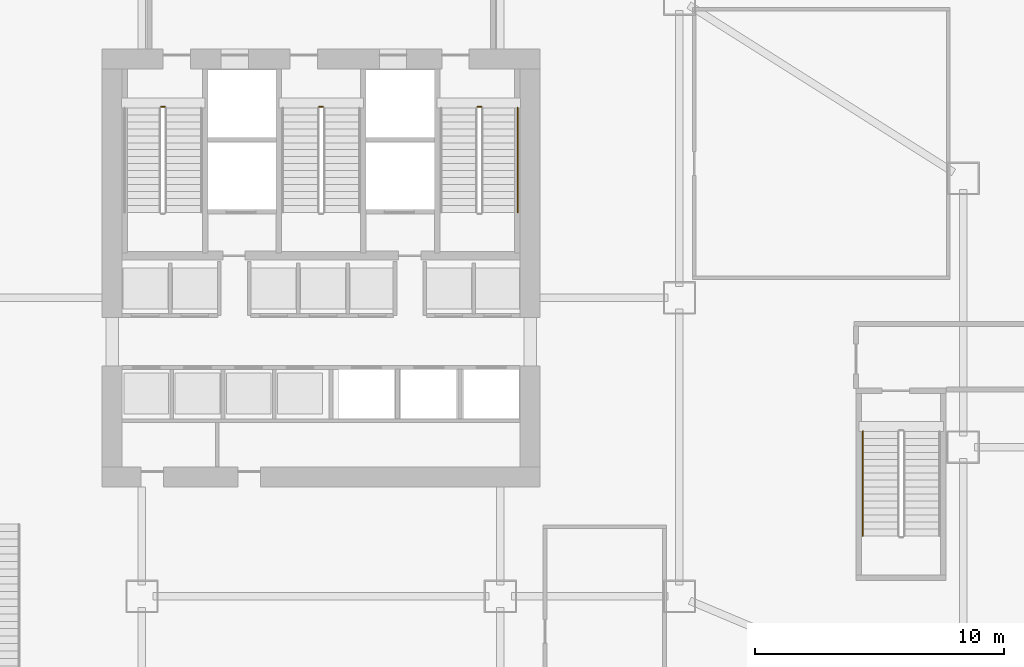
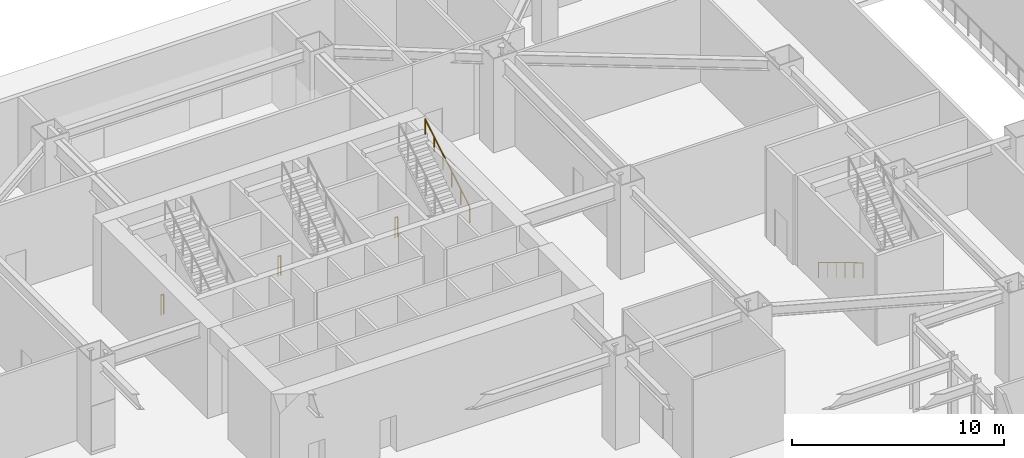
# One storey, part 17 of 20: 5 railings.
"""IFC4 building model written with IfcOpenShell, lengths in metres."""

from ifc_helpers import new_model, si_unit, direction, frame, origin, origin_2d, place, context, subcontext, project, spatial, circle, extrude, material, type_object, element, save


model = new_model("IFC4")

# Units and contexts
model_context = context("Model", 3, precision=1e-05, world=origin(), true_north=direction((0.0, 1.0)))
body_context = subcontext(model_context, "Body", "Model", "MODEL_VIEW")
ifc_project = project(units=[si_unit("LENGTHUNIT", "METRE"), si_unit("AREAUNIT", "SQUARE_METRE"), si_unit("VOLUMEUNIT", "CUBIC_METRE"), si_unit("PLANEANGLEUNIT", "RADIAN"), si_unit("MASSUNIT", "GRAM", prefix="KILO")], contexts=[model_context])

# Site, building, storey
site_placement = place(None, origin())
site = spatial("IfcSite", under=ifc_project, at=site_placement, CompositionType="ELEMENT")
building_placement = place(site_placement, origin())
building = spatial("IfcBuilding", under=site, at=building_placement, Name="Haolan Belvedere Tower", CompositionType="ELEMENT")
storey_placement = place(building_placement, origin())
storey = spatial("IfcBuildingStorey", under=building, at=storey_placement, Name="L00", CompositionType="ELEMENT", Elevation=0.0)

# Railings
ifc_material = material(Name="Brushed stainless steel 304", Category="steel")
railing_type_1 = type_object("IfcRailingType", Name="RL-STAIR-GRD-1150", PredefinedType="GUARDRAIL", material=ifc_material)
railing_1_placement = place(storey_placement, frame((31.969970703125, 41.280029296875, 0.0)))
element("IfcRailing", 1, at=railing_1_placement, inside=storey, type_object=railing_type_1, Name="L00 ST1 stair guard 4", PredefinedType="GUARDRAIL", context=body_context, shape_type="SweptSolid", body=[
    extrude(circle(Radius=0.02392578125, at=origin_2d()), frame((0.0, 0.0, 1.1259765625), z_axis=(1.0, 0.0, 0.0), x_axis=(0.0, 1.0, 0.0)), (0.0, 0.0, 1.0), 0.14013671875),
    extrude(circle(Radius=0.02099609375, at=origin_2d()), origin(), (0.0, 0.0, 1.0), 1.101806640625),
    extrude(circle(Radius=0.02099609375, at=origin_2d()), frame((0.14013671875, 0.0, 0.0)), (0.0, 0.0, 1.0), 1.101806640625),
])
railing_2_placement = place(storey_placement, frame((38.330078125, 41.280029296875, 0.0)))
element("IfcRailing", 2, at=railing_2_placement, inside=storey, type_object=railing_type_1, Name="L00 ST3 stair guard 4", PredefinedType="GUARDRAIL", context=body_context, shape_type="SweptSolid", body=[
    extrude(circle(Radius=0.02392578125, at=origin_2d()), frame((0.0, 0.0, 1.1259765625), z_axis=(1.0, 0.0, 0.0), x_axis=(0.0, 1.0, 0.0)), (0.0, 0.0, 1.0), 0.139892578125),
    extrude(circle(Radius=0.02099609375, at=origin_2d()), origin(), (0.0, 0.0, 1.0), 1.101806640625),
    extrude(circle(Radius=0.02099609375, at=origin_2d()), frame((0.139892578125, 0.0, 0.0)), (0.0, 0.0, 1.0), 1.101806640625),
])
railing_3_placement = place(storey_placement, frame((44.68994140625, 41.280029296875, 0.0)))
element("IfcRailing", 3, at=railing_3_placement, inside=storey, type_object=railing_type_1, Name="L00 ST2 stair guard 4", PredefinedType="GUARDRAIL", context=body_context, shape_type="SweptSolid", body=[
    extrude(circle(Radius=0.02392578125, at=origin_2d()), frame((0.0, 0.0, 1.1259765625), z_axis=(1.0, 0.0, 0.0), x_axis=(0.0, 1.0, 0.0)), (0.0, 0.0, 1.0), 0.14013671875),
    extrude(circle(Radius=0.02099609375, at=origin_2d()), origin(), (0.0, 0.0, 1.0), 1.101806640625),
    extrude(circle(Radius=0.02099609375, at=origin_2d()), frame((0.14013671875, 0.0, 0.0)), (0.0, 0.0, 1.0), 1.101806640625),
])
railing_type_2 = type_object("IfcRailingType", Name="RL-STAIR-HND-900", PredefinedType="HANDRAIL", material=ifc_material)
railing_4_placement = place(storey_placement, frame((46.300048828125, 37.030029296875, 2.86865234375)))
element("IfcRailing", 4, at=railing_4_placement, inside=storey, type_object=railing_type_2, Name="L00 ST2 stair handrail 2", PredefinedType="HANDRAIL", context=body_context, shape_type="SweptSolid", body=[
    extrude(circle(Radius=0.02392578125, at=origin_2d()), frame((0.0, 0.0, 0.8759765625), z_axis=(0.0, 0.856476492594, 0.516186030065), x_axis=(-1.0, 0.0, 0.0)), (0.0, 0.0, 1.0), 4.90380859375),
    extrude(circle(Radius=0.02099609375, at=origin_2d()), origin(), (0.0, 0.0, 1.0), 0.851806640625),
    extrude(circle(Radius=0.02099609375, at=origin_2d()), frame((0.0, 0.840087890625, 0.50634765625)), (0.0, 0.0, 1.0), 0.851806640625),
    extrude(circle(Radius=0.02099609375, at=origin_2d()), frame((0.0, 1.679931640625, 1.012451171875)), (0.0, 0.0, 1.0), 0.851806640625),
    extrude(circle(Radius=0.02099609375, at=origin_2d()), frame((0.0, 2.52001953125, 1.518798828125)), (0.0, 0.0, 1.0), 0.851806640625),
    extrude(circle(Radius=0.02099609375, at=origin_2d()), frame((0.0, 3.35986328125, 2.02490234375)), (0.0, 0.0, 1.0), 0.851806640625),
    extrude(circle(Radius=0.02099609375, at=origin_2d()), frame((0.0, 4.199951171875, 2.53125)), (0.0, 0.0, 1.0), 0.851806640625),
])
railing_5_placement = place(storey_placement, frame((60.169921875, 28.22998046875, 0.168701171875)))
element("IfcRailing", 5, at=railing_5_placement, inside=storey, type_object=railing_type_2, Name="L00 ST5 stair handrail 1", PredefinedType="HANDRAIL", context=body_context, shape_type="SweptSolid", body=[
    extrude(circle(Radius=0.02392578125, at=origin_2d()), frame((0.0, 0.0, 0.8759765625), z_axis=(0.0, -0.856476492594, 0.516186030065), x_axis=(1.0, 0.0, 0.0)), (0.0, 0.0, 1.0), 4.90380859375),
    extrude(circle(Radius=0.02099609375, at=origin_2d()), origin(), (0.0, 0.0, 1.0), 0.851806640625),
    extrude(circle(Radius=0.02099609375, at=origin_2d()), frame((0.0, -0.840087890625, 0.50634765625)), (0.0, 0.0, 1.0), 0.851806640625),
    extrude(circle(Radius=0.02099609375, at=origin_2d()), frame((0.0, -1.679931640625, 1.012451171875)), (0.0, 0.0, 1.0), 0.851806640625),
    extrude(circle(Radius=0.02099609375, at=origin_2d()), frame((0.0, -2.52001953125, 1.518798828125)), (0.0, 0.0, 1.0), 0.851806640625),
    extrude(circle(Radius=0.02099609375, at=origin_2d()), frame((0.0, -3.35986328125, 2.02490234375)), (0.0, 0.0, 1.0), 0.851806640625),
    extrude(circle(Radius=0.02099609375, at=origin_2d()), frame((0.0, -4.199951171875, 2.53125)), (0.0, 0.0, 1.0), 0.851806640625),
])

save(model, "model.ifc")
